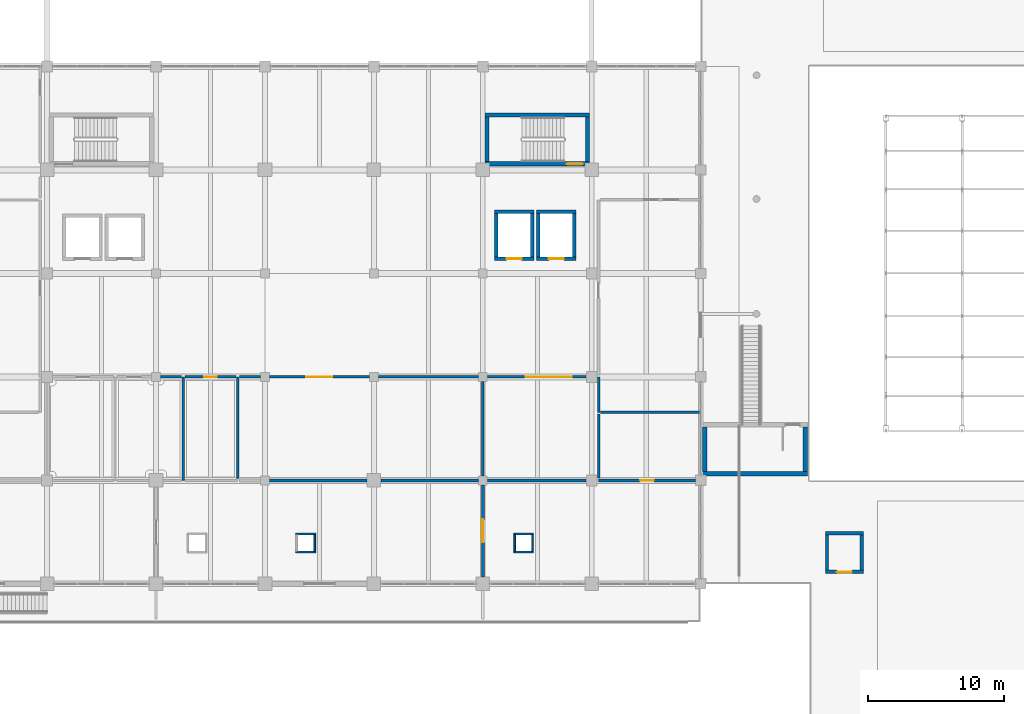
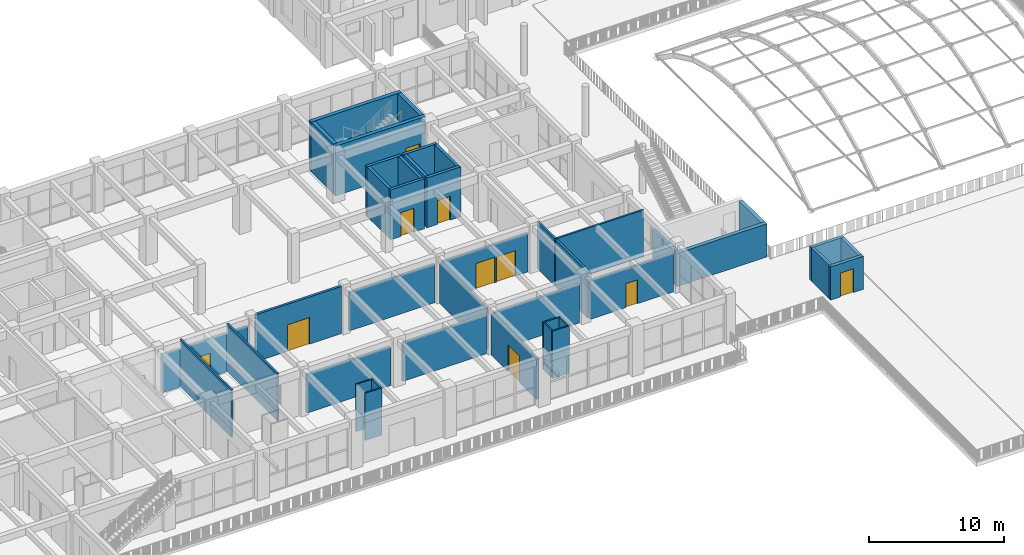
# One storey, part 55 of 79: 43 walls, 10 doors, 10 openings.
"""IFC4 building model written with IfcOpenShell, lengths in metres."""

from ifc_helpers import new_model, si_unit, direction, frame, frame_2d, origin, place, context, subcontext, project, spatial, rectangle, extrude, material, layer, layer_set, type_object, element, fill, save


model = new_model("IFC4")

# Units and contexts
model_context = context("Model", 3, precision=1e-05, world=origin(), true_north=direction((0.0, 1.0)))
body_context = subcontext(model_context, "Body", "Model", "MODEL_VIEW")
ifc_project = project(units=[si_unit("LENGTHUNIT", "METRE"), si_unit("AREAUNIT", "SQUARE_METRE"), si_unit("VOLUMEUNIT", "CUBIC_METRE"), si_unit("PLANEANGLEUNIT", "RADIAN"), si_unit("MASSUNIT", "GRAM", prefix="KILO")], contexts=[model_context])

# Site, building, storey
site_placement = place(None, origin())
site = spatial("IfcSite", under=ifc_project, at=site_placement, CompositionType="ELEMENT")
building_placement = place(site_placement, origin())
building = spatial("IfcBuilding", under=site, at=building_placement, Name="Zantavel Square City Hall", CompositionType="ELEMENT")
storey_placement = place(building_placement, frame((0.0, 0.0, 10.199951171875)))
storey = spatial("IfcBuildingStorey", under=building, at=storey_placement, Name="L03", CompositionType="ELEMENT", Elevation=10.199951171875)

# Walls
ifc_material_1 = material(Name="Concrete C40/50", Category="concrete")
ifc_layer_1 = layer(ifc_material_1, 0.320068359375, Name="Concrete C40/50")
ifc_layer_set_1 = layer_set([ifc_layer_1], Name="Concrete C40/50")
wall_type_1 = type_object("IfcWallType", Name="Core Shear Wall RC 320mm C40/50", PredefinedType="SHEAR", material=ifc_layer_set_1)
wall_1_placement = place(storey_placement, frame((119.85009765625, 38.489990234375, 0.0), z_axis=(0.0, 0.0, 1.0), x_axis=(-1.0, 0.0, 0.0)))
element("IfcWall", 1, at=wall_1_placement, inside=storey, type_object=wall_type_1, Name="L03 Stair ST4 Garden Headhouse Wall S", PredefinedType="SHEAR", context=body_context, shape_type="SweptSolid", body=[
    extrude(rectangle(XDim=7.7001953125, YDim=0.320068359375, at=frame_2d((3.85009765625, 0.0))), origin(), (0.0, 0.0, 1.0), 3.0),
])
for number, where, z_axis, x_axis, name in (
    (2, (112.31005859375, 38.64990234375, 0.0), (0.0, 0.0, 1.0), (0.0, 1.0, 0.0), "L03 Stair ST4 Garden Headhouse Wall W"),
    (3, (119.68994140625, 41.919921875, 0.0), (0.0, 0.0, 1.0), (0.0, -1.0, 0.0), "L03 Stair ST4 Garden Headhouse Wall E"),
):
    element("IfcWall", number, at=place(storey_placement, frame(where, z_axis=z_axis, x_axis=x_axis)), inside=storey, type_object=wall_type_1, Name=name, PredefinedType="SHEAR", context=body_context, shape_type="SweptSolid", body=[
        extrude(rectangle(XDim=3.27001953125, YDim=0.320068359375, at=frame_2d((1.635009765625, 0.0))), origin(), (0.0, 0.0, 1.0), 3.0),
    ])

# Wall, opening, door
wall_2_placement = place(storey_placement, frame((103.85009765625, 61.239990234375, 0.0), z_axis=(0.0, 0.0, 1.0), x_axis=(-1.0, 0.0, 0.0)))
wall_2 = element("IfcWall", 4, at=wall_2_placement, inside=storey, type_object=wall_type_1, Name="L03 Exit Stair 6 Central East Core Shear Wall South", PredefinedType="SHEAR", context=body_context, shape_type="SweptSolid", body=[
    extrude(rectangle(XDim=7.7001953125, YDim=0.320068359375, at=frame_2d((3.85009765625, 0.0))), origin(), (0.0, 0.0, 1.0), 4.5),
])
opening_1_placement = place(wall_2_placement, frame((0.5, 0.0, 0.0)))
opening_1 = element("IfcOpeningElement", 5, at=opening_1_placement, cuts=wall_2, Name="Opening SD-029", PredefinedType="OPENING", context=body_context, shape_type="SweptSolid", body=[
    extrude(rectangle(XDim=1.199951171875, YDim=2.199951171875, at=frame_2d((0.60009765625, 1.10009765625))), frame((0.0, 0.169921875, 0.0), z_axis=(0.0, -1.0, 0.0), x_axis=(1.0, 0.0, 0.0)), (0.0, 0.0, 1.0), 0.340087890625),
])
ifc_material_2 = material(Name="Steel ASTM A500 Grade B", Category="steel")
door_type_1 = type_object("IfcDoorType", Name="Enclosed Exit Stairwell Fire Door 1200x2200 FD90S", OperationType="NOTDEFINED", PredefinedType="DOOR", material=ifc_material_2)
door_1_placement = place(opening_1_placement, origin())
door_1 = element("IfcDoor", 6, at=door_1_placement, inside=storey, type_object=door_type_1, Name="L03 Exit Stair 6 Central East Core Fire Door", OperationType="SINGLE_SWING_LEFT", OverallHeight=2.199951171875, OverallWidth=1.199951171875, PredefinedType="DOOR", context=body_context, shape_type="SweptSolid", body=[
    extrude(rectangle(XDim=1.199951171875, YDim=2.199951171875, at=frame_2d((0.60009765625, 1.10009765625))), frame((0.0, 0.02490234375, 0.0), z_axis=(0.0, -1.0, 0.0), x_axis=(1.0, 0.0, 0.0)), (0.0, 0.0, 1.0), 0.050048828125),
])
fill(opening_1, door_1)

# Walls
wall_3_placement = place(storey_placement, frame((96.31005859375, 61.39990234375, 0.0), z_axis=(0.0, 0.0, 1.0), x_axis=(0.0, 1.0, 0.0)))
element("IfcWall", 7, at=wall_3_placement, inside=storey, type_object=wall_type_1, Name="L03 Exit Stair 6 Central East Core Shear Wall West", PredefinedType="SHEAR", context=body_context, shape_type="SweptSolid", body=[
    extrude(rectangle(XDim=3.27001953125, YDim=0.320068359375, at=frame_2d((1.635009765625, 0.0))), origin(), (0.0, 0.0, 1.0), 4.5),
])
wall_4_placement = place(storey_placement, frame((96.14990234375, 64.830078125, 0.0), z_axis=(0.0, 0.0, 1.0), x_axis=(1.0, 0.0, 0.0)))
element("IfcWall", 8, at=wall_4_placement, inside=storey, type_object=wall_type_1, Name="L03 Exit Stair 6 Central East Core Shear Wall North", PredefinedType="SHEAR", context=body_context, shape_type="SweptSolid", body=[
    extrude(rectangle(XDim=7.7001953125, YDim=0.320068359375, at=frame_2d((3.85009765625, 0.0))), origin(), (0.0, 0.0, 1.0), 4.5),
])
wall_5_placement = place(storey_placement, frame((103.68994140625, 64.669921875, 0.0), z_axis=(0.0, 0.0, 1.0), x_axis=(0.0, -1.0, 0.0)))
element("IfcWall", 9, at=wall_5_placement, inside=storey, type_object=wall_type_1, Name="L03 Exit Stair 6 Central East Core Shear Wall East", PredefinedType="SHEAR", context=body_context, shape_type="SweptSolid", body=[
    extrude(rectangle(XDim=3.27001953125, YDim=0.320068359375, at=frame_2d((1.635009765625, 0.0))), origin(), (0.0, 0.0, 1.0), 4.5),
])
ifc_material_3 = material(Name="Gypsum acoustic stud assembly", Category="masonry")
ifc_layer_2 = layer(ifc_material_3, 0.179931640625, Name="Gypsum acoustic stud assembly")
ifc_layer_set_2 = layer_set([ifc_layer_2], Name="Gypsum acoustic stud assembly")
wall_type_2 = type_object("IfcWallType", Name="Council Acoustic Partition 180mm", PredefinedType="PARTITIONING", material=ifc_layer_set_2)
wall_6_placement = place(storey_placement, frame((104.5, 45.60009765625, 0.0), z_axis=(0.0, 0.0, 1.0), x_axis=(0.0, -1.0, 0.0)))
element("IfcWall", 10, at=wall_6_placement, inside=storey, type_object=wall_type_2, Name="L03 Interior Wall IW-L03-0261", PredefinedType="PARTITIONING", context=body_context, shape_type="SweptSolid", body=[
    extrude(rectangle(XDim=2.60009765625, YDim=0.179931640625, at=frame_2d((1.300048828125, 0.0))), origin(), (0.0, 0.0, 1.0), 4.219970703125),
])
wall_7_placement = place(storey_placement, frame((96.0, 38.3349609375, 0.0), z_axis=(0.0, 0.0, 1.0), x_axis=(0.0, 1.0, 0.0)))
element("IfcWall", 11, at=wall_7_placement, inside=storey, type_object=wall_type_2, Name="L03 Interior Wall IW-L03-0262", PredefinedType="PARTITIONING", context=body_context, shape_type="SweptSolid", body=[
    extrude(rectangle(XDim=6.929931640625, YDim=0.179931640625, at=frame_2d((3.46484375, 0.0))), origin(), (0.0, 0.0, 1.0), 3.670166015625),
])
wall_8_placement = place(storey_placement, frame((104.5, 42.860107421875, 0.0), z_axis=(0.0, 0.0, 1.0), x_axis=(0.0, -1.0, 0.0)))
element("IfcWall", 12, at=wall_8_placement, inside=storey, type_object=wall_type_2, Name="L03 Interior Wall IW-L03-0264", PredefinedType="PARTITIONING", context=body_context, shape_type="SweptSolid", body=[
    extrude(rectangle(XDim=4.7001953125, YDim=0.179931640625, at=frame_2d((2.35009765625, 0.0))), origin(), (0.0, 0.0, 1.0), 4.219970703125),
])
ifc_layer_3 = layer(ifc_material_3, 0.14990234375, Name="Gypsum acoustic stud assembly")
ifc_layer_set_3 = layer_set([ifc_layer_3], Name="Gypsum acoustic stud assembly")
wall_type_3 = type_object("IfcWallType", Name="Department Office Partition 150mm", PredefinedType="PARTITIONING", material=ifc_layer_set_3)
wall_9_placement = place(storey_placement, frame((112.0, 43.0, 0.0), z_axis=(0.0, 0.0, 1.0), x_axis=(-1.0, 0.0, 0.0)))
element("IfcWall", 13, at=wall_9_placement, inside=storey, type_object=wall_type_3, Name="L03 Interior Wall IW-L03-0278", PredefinedType="PARTITIONING", context=body_context, shape_type="SweptSolid", body=[
    extrude(rectangle(XDim=7.360107421875, YDim=0.14990234375, at=frame_2d((3.68017578125, 0.0))), origin(), (0.0, 0.0, 1.0), 4.219970703125),
])

# Wall, opening, door
ifc_material_4 = material(Name="Cantera volcanic tuff stone", Category="masonry")
ifc_layer_4 = layer(ifc_material_4, 0.219970703125, Name="Cantera volcanic tuff stone")
ifc_layer_set_4 = layer_set([ifc_layer_4], Name="Cantera volcanic tuff stone")
wall_type_4 = type_object("IfcWallType", Name="Executive Acoustic Stone Partition 220mm", PredefinedType="PARTITIONING", material=ifc_layer_set_4)
wall_10_placement = place(storey_placement, frame((96.0, 37.6650390625, 0.0), z_axis=(0.0, 0.0, 1.0), x_axis=(0.0, -1.0, 0.0)))
wall_10 = element("IfcWall", 14, at=wall_10_placement, inside=storey, type_object=wall_type_4, Name="L03 Interior Wall IW-L03-0253", PredefinedType="PARTITIONING", context=body_context, shape_type="SweptSolid", body=[
    extrude(rectangle(XDim=6.755126953125, YDim=0.219970703125, at=frame_2d((3.37744140625, 0.0))), origin(), (0.0, 0.0, 1.0), 3.670166015625),
])
opening_2_placement = place(wall_10_placement, frame((2.527587890625, 0.0, 0.0)))
opening_2 = element("IfcOpeningElement", 15, at=opening_2_placement, cuts=wall_10, Name="Opening D-0134", PredefinedType="OPENING", context=body_context, shape_type="SweptSolid", body=[
    extrude(rectangle(XDim=1.699951171875, YDim=2.39990234375, at=frame_2d((0.85009765625, 1.199951171875))), frame((0.0, 0.119873046875, 0.0), z_axis=(0.0, -1.0, 0.0), x_axis=(1.0, 0.0, 0.0)), (0.0, 0.0, 1.0), 0.239990234375),
])
ifc_material_5 = material(Name="Solid oak hardwood", Category="wood")
door_type_2 = type_object("IfcDoorType", Name="Executive Salon Oak Double Door 1700x2400", OperationType="NOTDEFINED", PredefinedType="DOOR", material=ifc_material_5)
door_2_placement = place(opening_2_placement, origin())
door_2 = element("IfcDoor", 16, at=door_2_placement, inside=storey, type_object=door_type_2, Name="L03 Second Syndic Suite Door", OperationType="DOUBLE_DOOR_SINGLE_SWING", OverallHeight=2.39990234375, OverallWidth=1.699951171875, PredefinedType="DOOR", context=body_context, shape_type="SweptSolid", body=[
    extrude(rectangle(XDim=1.699951171875, YDim=2.39990234375, at=frame_2d((0.85009765625, 1.199951171875))), frame((0.0, 0.02490234375, 0.0), z_axis=(0.0, -1.0, 0.0), x_axis=(1.0, 0.0, 0.0)), (0.0, 0.0, 1.0), 0.050048828125),
])
fill(opening_2, door_2)

# Walls
for number, where, z_axis, x_axis, name in (
    (17, (80.3349609375, 38.0, 0.0), (0.0, 0.0, 1.0), (1.0, 0.0, 0.0), "L03 Interior Wall IW-L03-0255"),
    (18, (88.510009765625, 38.0, 0.0), (0.0, 0.0, 1.0), (1.0, 0.0, 0.0), "L03 Interior Wall IW-L03-0256"),
):
    element("IfcWall", number, at=place(storey_placement, frame(where, z_axis=z_axis, x_axis=x_axis)), inside=storey, type_object=wall_type_4, Name=name, PredefinedType="PARTITIONING", context=body_context, shape_type="SweptSolid", body=[
        extrude(rectangle(XDim=7.155029296875, YDim=0.219970703125, at=frame_2d((3.57763671875, 0.0))), origin(), (0.0, 0.0, 1.0), 3.469970703125),
    ])
wall_11_placement = place(storey_placement, frame((96.3349609375, 38.0, 0.0), z_axis=(0.0, 0.0, 1.0), x_axis=(1.0, 0.0, 0.0)))
element("IfcWall", 19, at=wall_11_placement, inside=storey, type_object=wall_type_4, Name="L03 Interior Wall IW-L03-0259", PredefinedType="PARTITIONING", context=body_context, shape_type="SweptSolid", body=[
    extrude(rectangle(XDim=7.255126953125, YDim=0.219970703125, at=frame_2d((3.62744140625, 0.0))), origin(), (0.0, 0.0, 1.0), 3.469970703125),
])

# Wall, opening, door
wall_12_placement = place(storey_placement, frame((104.5, 38.0, 0.0), z_axis=(0.0, 0.0, 1.0), x_axis=(1.0, 0.0, 0.0)))
wall_12 = element("IfcWall", 20, at=wall_12_placement, inside=storey, type_object=wall_type_4, Name="L03 Interior Wall IW-L03-0260", PredefinedType="PARTITIONING", context=body_context, shape_type="SweptSolid", body=[
    extrude(rectangle(XDim=7.114990234375, YDim=0.219970703125, at=frame_2d((3.5576171875, 0.0))), origin(), (0.0, 0.0, 1.0), 3.469970703125),
])
opening_3_placement = place(wall_12_placement, frame((3.0576171875, 0.0, 0.0)))
opening_3 = element("IfcOpeningElement", 21, at=opening_3_placement, cuts=wall_12, Name="Opening D-0137", PredefinedType="OPENING", context=body_context, shape_type="SweptSolid", body=[
    extrude(rectangle(XDim=1.0, YDim=2.14990234375, at=frame_2d((0.5, 1.074951171875))), frame((0.0, 0.119873046875, 0.0), z_axis=(0.0, -1.0, 0.0), x_axis=(1.0, 0.0, 0.0)), (0.0, 0.0, 1.0), 0.239990234375),
])
door_type_3 = type_object("IfcDoorType", Name="Suite Internal Oak Single Door 1000x2150", OperationType="NOTDEFINED", PredefinedType="DOOR", material=ifc_material_5)
door_3_placement = place(opening_3_placement, origin())
door_3 = element("IfcDoor", 22, at=door_3_placement, inside=storey, type_object=door_type_3, Name="L03 L03 Municipal Support Office 3 Door", OperationType="SINGLE_SWING_LEFT", OverallHeight=2.14990234375, OverallWidth=1.0, PredefinedType="DOOR", context=body_context, shape_type="SweptSolid", body=[
    extrude(rectangle(XDim=1.0, YDim=2.14990234375, at=frame_2d((0.5, 1.074951171875))), frame((0.0, 0.02490234375, 0.0), z_axis=(0.0, -1.0, 0.0), x_axis=(1.0, 0.0, 0.0)), (0.0, 0.0, 1.0), 0.050048828125),
])
fill(opening_3, door_3)

# Wall
ifc_layer_5 = layer(ifc_material_4, 0.199951171875, Name="Cantera volcanic tuff stone")
ifc_layer_set_5 = layer_set([ifc_layer_5], Name="Cantera volcanic tuff stone")
wall_type_5 = type_object("IfcWallType", Name="Exit Corridor Rated Wall 200mm", PredefinedType="STANDARD", material=ifc_layer_set_5)
wall_13_placement = place(storey_placement, frame((72.3349609375, 45.60009765625, 0.0), z_axis=(0.0, 0.0, 1.0), x_axis=(1.0, 0.0, 0.0)))
element("IfcWall", 23, at=wall_13_placement, inside=storey, type_object=wall_type_5, Name="L03 Interior Wall IW-L03-0248", PredefinedType="STANDARD", context=body_context, shape_type="SweptSolid", body=[
    extrude(rectangle(XDim=1.53515625, YDim=0.199951171875, at=frame_2d((0.767578125, 0.0))), origin(), (0.0, 0.0, 1.0), 3.469970703125),
])

# Wall, opening, door
wall_14_placement = place(storey_placement, frame((74.1298828125, 45.60009765625, 0.0), z_axis=(0.0, 0.0, 1.0), x_axis=(1.0, 0.0, 0.0)))
wall_14 = element("IfcWall", 24, at=wall_14_placement, inside=storey, type_object=wall_type_5, Name="L03 Interior Wall IW-L03-0251", PredefinedType="STANDARD", context=body_context, shape_type="SweptSolid", body=[
    extrude(rectangle(XDim=3.740234375, YDim=0.199951171875, at=frame_2d((1.8701171875, 0.0))), origin(), (0.0, 0.0, 1.0), 3.469970703125),
])
opening_4_placement = place(wall_14_placement, frame((1.39501953125, 0.0, 0.0)))
opening_4 = element("IfcOpeningElement", 25, at=opening_4_placement, cuts=wall_14, Name="Opening D-0118", PredefinedType="OPENING", context=body_context, shape_type="SweptSolid", body=[
    extrude(rectangle(XDim=0.949951171875, YDim=2.14990234375, at=frame_2d((0.47509765625, 1.074951171875))), frame((0.0, 0.10986328125, 0.0), z_axis=(0.0, -1.0, 0.0), x_axis=(1.0, 0.0, 0.0)), (0.0, 0.0, 1.0), 0.219970703125),
])
door_type_4 = type_object("IfcDoorType", Name="Corridor Restroom Oak Fire Door 950x2150 FD60S", OperationType="NOTDEFINED", PredefinedType="DOOR", material=ifc_material_5)
door_4_placement = place(opening_4_placement, origin())
door_4 = element("IfcDoor", 26, at=door_4_placement, inside=storey, type_object=door_type_4, Name="L03 L03 Accessible WC Door", OperationType="SINGLE_SWING_RIGHT", OverallHeight=2.14990234375, OverallWidth=0.949951171875, PredefinedType="DOOR", context=body_context, shape_type="SweptSolid", body=[
    extrude(rectangle(XDim=0.949951171875, YDim=2.14990234375, at=frame_2d((0.47509765625, 1.074951171875))), frame((0.0, 0.02490234375, 0.0), z_axis=(0.0, -1.0, 0.0), x_axis=(1.0, 0.0, 0.0)), (0.0, 0.0, 1.0), 0.050048828125),
])
fill(opening_4, door_4)

# Wall, openings, doors
wall_15_placement = place(storey_placement, frame((96.3349609375, 45.60009765625, 0.0), z_axis=(0.0, 0.0, 1.0), x_axis=(1.0, 0.0, 0.0)))
wall_15 = element("IfcWall", 27, at=wall_15_placement, inside=storey, type_object=wall_type_5, Name="L03 Interior Wall IW-L03-0263", PredefinedType="STANDARD", context=body_context, shape_type="SweptSolid", body=[
    extrude(rectangle(XDim=7.255126953125, YDim=0.199951171875, at=frame_2d((3.62744140625, 0.0))), origin(), (0.0, 0.0, 1.0), 3.469970703125),
])
opening_5_placement = place(wall_15_placement, frame((2.827392578125, 0.0, 0.0)))
opening_5 = element("IfcOpeningElement", 28, at=opening_5_placement, cuts=wall_15, Name="Opening D-0120", PredefinedType="OPENING", context=body_context, shape_type="SweptSolid", body=[
    extrude(rectangle(XDim=1.60009765625, YDim=2.300048828125, at=frame_2d((0.800048828125, 1.14990234375))), frame((0.0, 0.10986328125, 0.0), z_axis=(0.0, -1.0, 0.0), x_axis=(1.0, 0.0, 0.0)), (0.0, 0.0, 1.0), 0.219970703125),
])
opening_6_placement = place(wall_15_placement, frame((4.577392578125, 0.0, 0.0)))
opening_6 = element("IfcOpeningElement", 29, at=opening_6_placement, cuts=wall_15, Name="Opening D-0138", PredefinedType="OPENING", context=body_context, shape_type="SweptSolid", body=[
    extrude(rectangle(XDim=1.60009765625, YDim=2.300048828125, at=frame_2d((0.800048828125, 1.14990234375))), frame((0.0, 0.10986328125, 0.0), z_axis=(0.0, -1.0, 0.0), x_axis=(1.0, 0.0, 0.0)), (0.0, 0.0, 1.0), 0.219970703125),
])
door_type_5 = type_object("IfcDoorType", Name="Committee Suite Fire Double Door 1600x2300 FD60S", OperationType="NOTDEFINED", PredefinedType="DOOR", material=ifc_material_5)
door_5_placement = place(opening_5_placement, origin())
door_5 = element("IfcDoor", 30, at=door_5_placement, inside=storey, type_object=door_type_5, Name="L03 Mayoral Cabinet Briefing Room Door", OperationType="DOUBLE_DOOR_SINGLE_SWING", OverallHeight=2.300048828125, OverallWidth=1.60009765625, PredefinedType="DOOR", context=body_context, shape_type="SweptSolid", body=[
    extrude(rectangle(XDim=1.60009765625, YDim=2.300048828125, at=frame_2d((0.800048828125, 1.14990234375))), frame((0.0, 0.02490234375, 0.0), z_axis=(0.0, -1.0, 0.0), x_axis=(1.0, 0.0, 0.0)), (0.0, 0.0, 1.0), 0.050048828125),
])
fill(opening_5, door_5)
door_6_placement = place(opening_6_placement, origin())
door_6 = element("IfcDoor", 31, at=door_6_placement, inside=storey, type_object=door_type_5, Name="L03 Mayoral Cabinet Briefing Room Door", OperationType="DOUBLE_DOOR_SINGLE_SWING", OverallHeight=2.300048828125, OverallWidth=1.60009765625, PredefinedType="DOOR", context=body_context, shape_type="SweptSolid", body=[
    extrude(rectangle(XDim=1.60009765625, YDim=2.300048828125, at=frame_2d((0.800048828125, 1.14990234375))), frame((0.0, 0.02490234375, 0.0), z_axis=(0.0, -1.0, 0.0), x_axis=(1.0, 0.0, 0.0)), (0.0, 0.0, 1.0), 0.050048828125),
])
fill(opening_6, door_6)

# Wall
wall_16_placement = place(storey_placement, frame((78.1298828125, 45.60009765625, 0.0), z_axis=(0.0, 0.0, 1.0), x_axis=(1.0, 0.0, 0.0)))
element("IfcWall", 32, at=wall_16_placement, inside=storey, type_object=wall_type_5, Name="L03 Interior Wall IW-L03-0290", PredefinedType="STANDARD", context=body_context, shape_type="SweptSolid", body=[
    extrude(rectangle(XDim=1.53515625, YDim=0.199951171875, at=frame_2d((0.767578125, 0.0))), origin(), (0.0, 0.0, 1.0), 3.469970703125),
])

# Wall, opening, door
wall_17_placement = place(storey_placement, frame((80.3349609375, 45.60009765625, 0.0), z_axis=(0.0, 0.0, 1.0), x_axis=(1.0, 0.0, 0.0)))
wall_17 = element("IfcWall", 33, at=wall_17_placement, inside=storey, type_object=wall_type_5, Name="L03 Interior Wall IW-L03-0291", PredefinedType="STANDARD", context=body_context, shape_type="SweptSolid", body=[
    extrude(rectangle(XDim=7.330078125, YDim=0.199951171875, at=frame_2d((3.6650390625, 0.0))), origin(), (0.0, 0.0, 1.0), 4.260009765625),
])
opening_7_placement = place(wall_17_placement, frame((2.715087890625, 0.0, 0.0)))
opening_7 = element("IfcOpeningElement", 34, at=opening_7_placement, cuts=wall_17, Name="Opening D-0130", PredefinedType="OPENING", context=body_context, shape_type="SweptSolid", body=[
    extrude(rectangle(XDim=1.89990234375, YDim=2.39990234375, at=frame_2d((0.949951171875, 1.199951171875))), frame((0.0, 0.10986328125, 0.0), z_axis=(0.0, -1.0, 0.0), x_axis=(1.0, 0.0, 0.0)), (0.0, 0.0, 1.0), 0.219970703125),
])
door_type_6 = type_object("IfcDoorType", Name="Civic Hall Oak Fire Double Door 1900x2400 FD60S", OperationType="NOTDEFINED", PredefinedType="DOOR", material=ifc_material_5)
door_7_placement = place(opening_7_placement, origin())
door_7 = element("IfcDoor", 35, at=door_7_placement, inside=storey, type_object=door_type_6, Name="L03 Protocol Reception Hall Door", OperationType="DOUBLE_DOOR_SINGLE_SWING", OverallHeight=2.39990234375, OverallWidth=1.89990234375, PredefinedType="DOOR", context=body_context, shape_type="SweptSolid", body=[
    extrude(rectangle(XDim=1.89990234375, YDim=2.39990234375, at=frame_2d((0.949951171875, 1.199951171875))), frame((0.0, 0.02490234375, 0.0), z_axis=(0.0, -1.0, 0.0), x_axis=(1.0, 0.0, 0.0)), (0.0, 0.0, 1.0), 0.050048828125),
])
fill(opening_7, door_7)

# Wall
wall_18_placement = place(storey_placement, frame((88.3349609375, 45.60009765625, 0.0), z_axis=(0.0, 0.0, 1.0), x_axis=(1.0, 0.0, 0.0)))
element("IfcWall", 36, at=wall_18_placement, inside=storey, type_object=wall_type_5, Name="L03 Interior Wall IW-L03-0292", PredefinedType="STANDARD", context=body_context, shape_type="SweptSolid", body=[
    extrude(rectangle(XDim=7.330078125, YDim=0.199951171875, at=frame_2d((3.6650390625, 0.0))), origin(), (0.0, 0.0, 1.0), 3.469970703125),
])

# Wall, opening, door
ifc_layer_6 = layer(ifc_material_1, 0.25, Name="Concrete C40/50")
ifc_layer_set_6 = layer_set([ifc_layer_6], Name="Concrete C40/50")
wall_type_6 = type_object("IfcWallType", Name="Lift Shaft Wall RC 250mm C40/50", PredefinedType="SHEAR", material=ifc_layer_set_6)
wall_19_placement = place(storey_placement, frame((99.75, 54.27490234375, 0.0), z_axis=(0.0, 0.0, 1.0), x_axis=(-1.0, 0.0, 0.0)))
wall_19 = element("IfcWall", 37, at=wall_19_placement, inside=storey, type_object=wall_type_6, Name="L03 Lift LF03 Shaft Wall South", PredefinedType="SHEAR", context=body_context, shape_type="SweptSolid", body=[
    extrude(rectangle(XDim=2.89990234375, YDim=0.25, at=frame_2d((1.449951171875, 0.0))), origin(), (0.0, 0.0, 1.0), 4.5),
])
opening_8_placement = place(wall_19_placement, frame((0.89990234375, 0.0, 0.0)))
opening_8 = element("IfcOpeningElement", 38, at=opening_8_placement, cuts=wall_19, Name="Opening LD-LF03-L03", PredefinedType="OPENING", context=body_context, shape_type="SweptSolid", body=[
    extrude(rectangle(XDim=1.10009765625, YDim=2.14990234375, at=frame_2d((0.550048828125, 1.074951171875))), frame((0.0, 0.135009765625, 0.0), z_axis=(0.0, -1.0, 0.0), x_axis=(1.0, 0.0, 0.0)), (0.0, 0.0, 1.0), 0.27001953125),
])
ifc_material_6 = material(Name="Stainless steel 316", Category="steel")
door_type_7 = type_object("IfcDoorType", Name="Lift Landing Sliding Door 1100x2150 FD90S", OperationType="NOTDEFINED", PredefinedType="DOOR", material=ifc_material_6)
door_8_placement = place(opening_8_placement, origin())
door_8 = element("IfcDoor", 39, at=door_8_placement, inside=storey, type_object=door_type_7, Name="L03 Lift LF03 Sliding Landing Door", OperationType="DOUBLE_DOOR_SLIDING", OverallHeight=2.14990234375, OverallWidth=1.10009765625, PredefinedType="DOOR", context=body_context, shape_type="SweptSolid", body=[
    extrude(rectangle(XDim=1.10009765625, YDim=2.14990234375, at=frame_2d((0.550048828125, 1.074951171875))), frame((0.0, 0.02490234375, 0.0), z_axis=(0.0, -1.0, 0.0), x_axis=(1.0, 0.0, 0.0)), (0.0, 0.0, 1.0), 0.050048828125),
])
fill(opening_8, door_8)

# Walls
wall_20_placement = place(storey_placement, frame((96.97509765625, 54.39990234375, 0.0), z_axis=(0.0, 0.0, 1.0), x_axis=(0.0, 1.0, 0.0)))
element("IfcWall", 40, at=wall_20_placement, inside=storey, type_object=wall_type_6, Name="L03 Lift LF03 Shaft Wall West", PredefinedType="SHEAR", context=body_context, shape_type="SweptSolid", body=[
    extrude(rectangle(XDim=3.2001953125, YDim=0.25, at=frame_2d((1.60009765625, 0.0))), origin(), (0.0, 0.0, 1.0), 4.5),
])
wall_21_placement = place(storey_placement, frame((96.85009765625, 57.72509765625, 0.0), z_axis=(0.0, 0.0, 1.0), x_axis=(1.0, 0.0, 0.0)))
element("IfcWall", 41, at=wall_21_placement, inside=storey, type_object=wall_type_6, Name="L03 Lift LF03 Shaft Wall North", PredefinedType="SHEAR", context=body_context, shape_type="SweptSolid", body=[
    extrude(rectangle(XDim=2.89990234375, YDim=0.25, at=frame_2d((1.449951171875, 0.0))), origin(), (0.0, 0.0, 1.0), 4.5),
])
wall_22_placement = place(storey_placement, frame((99.625, 57.60009765625, 0.0), z_axis=(0.0, 0.0, 1.0), x_axis=(0.0, -1.0, 0.0)))
element("IfcWall", 42, at=wall_22_placement, inside=storey, type_object=wall_type_6, Name="L03 Lift LF03 Shaft Wall East", PredefinedType="SHEAR", context=body_context, shape_type="SweptSolid", body=[
    extrude(rectangle(XDim=3.2001953125, YDim=0.25, at=frame_2d((1.60009765625, 0.0))), origin(), (0.0, 0.0, 1.0), 4.5),
])

# Wall, opening, door
wall_23_placement = place(storey_placement, frame((102.85009765625, 54.27490234375, 0.0), z_axis=(0.0, 0.0, 1.0), x_axis=(-1.0, 0.0, 0.0)))
wall_23 = element("IfcWall", 43, at=wall_23_placement, inside=storey, type_object=wall_type_6, Name="L03 Lift LF04 Shaft Wall South", PredefinedType="SHEAR", context=body_context, shape_type="SweptSolid", body=[
    extrude(rectangle(XDim=2.900146484375, YDim=0.25, at=frame_2d((1.4501953125, 0.0))), origin(), (0.0, 0.0, 1.0), 4.5),
])
opening_9_placement = place(wall_23_placement, frame((0.89990234375, 0.0, 0.0)))
opening_9 = element("IfcOpeningElement", 44, at=opening_9_placement, cuts=wall_23, Name="Opening LD-LF04-L03", PredefinedType="OPENING", context=body_context, shape_type="SweptSolid", body=[
    extrude(rectangle(XDim=1.10009765625, YDim=2.14990234375, at=frame_2d((0.550048828125, 1.074951171875))), frame((0.0, 0.135009765625, 0.0), z_axis=(0.0, -1.0, 0.0), x_axis=(1.0, 0.0, 0.0)), (0.0, 0.0, 1.0), 0.27001953125),
])
door_9_placement = place(opening_9_placement, origin())
door_9 = element("IfcDoor", 45, at=door_9_placement, inside=storey, type_object=door_type_7, Name="L03 Lift LF04 Sliding Landing Door", OperationType="DOUBLE_DOOR_SLIDING", OverallHeight=2.14990234375, OverallWidth=1.10009765625, PredefinedType="DOOR", context=body_context, shape_type="SweptSolid", body=[
    extrude(rectangle(XDim=1.10009765625, YDim=2.14990234375, at=frame_2d((0.550048828125, 1.074951171875))), frame((0.0, 0.02490234375, 0.0), z_axis=(0.0, -1.0, 0.0), x_axis=(1.0, 0.0, 0.0)), (0.0, 0.0, 1.0), 0.050048828125),
])
fill(opening_9, door_9)

# Walls
wall_24_placement = place(storey_placement, frame((100.074951171875, 54.39990234375, 0.0), z_axis=(0.0, 0.0, 1.0), x_axis=(0.0, 1.0, 0.0)))
element("IfcWall", 46, at=wall_24_placement, inside=storey, type_object=wall_type_6, Name="L03 Lift LF04 Shaft Wall West", PredefinedType="SHEAR", context=body_context, shape_type="SweptSolid", body=[
    extrude(rectangle(XDim=3.2001953125, YDim=0.25, at=frame_2d((1.60009765625, 0.0))), origin(), (0.0, 0.0, 1.0), 4.5),
])
wall_25_placement = place(storey_placement, frame((99.949951171875, 57.72509765625, 0.0), z_axis=(0.0, 0.0, 1.0), x_axis=(1.0, 0.0, 0.0)))
element("IfcWall", 47, at=wall_25_placement, inside=storey, type_object=wall_type_6, Name="L03 Lift LF04 Shaft Wall North", PredefinedType="SHEAR", context=body_context, shape_type="SweptSolid", body=[
    extrude(rectangle(XDim=2.900146484375, YDim=0.25, at=frame_2d((1.4501953125, 0.0))), origin(), (0.0, 0.0, 1.0), 4.5),
])
wall_26_placement = place(storey_placement, frame((102.72509765625, 57.60009765625, 0.0), z_axis=(0.0, 0.0, 1.0), x_axis=(0.0, -1.0, 0.0)))
element("IfcWall", 48, at=wall_26_placement, inside=storey, type_object=wall_type_6, Name="L03 Lift LF04 Shaft Wall East", PredefinedType="SHEAR", context=body_context, shape_type="SweptSolid", body=[
    extrude(rectangle(XDim=3.2001953125, YDim=0.25, at=frame_2d((1.60009765625, 0.0))), origin(), (0.0, 0.0, 1.0), 4.5),
])

# Wall, opening, door
wall_27_placement = place(storey_placement, frame((123.949951171875, 31.27490234375, 0.0), z_axis=(0.0, 0.0, 1.0), x_axis=(-1.0, 0.0, 0.0)))
wall_27 = element("IfcWall", 49, at=wall_27_placement, inside=storey, type_object=wall_type_6, Name="L03 Lift LF07 Shaft Wall South", PredefinedType="SHEAR", context=body_context, shape_type="SweptSolid", body=[
    extrude(rectangle(XDim=2.800048828125, YDim=0.25, at=frame_2d((1.39990234375, 0.0))), origin(), (0.0, 0.0, 1.0), 3.0),
])
opening_10_placement = place(wall_27_placement, frame((0.85009765625, 0.0, 0.0)))
opening_10 = element("IfcOpeningElement", 50, at=opening_10_placement, cuts=wall_27, Name="Opening LD-LF07-L03", PredefinedType="OPENING", context=body_context, shape_type="SweptSolid", body=[
    extrude(rectangle(XDim=1.10009765625, YDim=2.14990234375, at=frame_2d((0.550048828125, 1.074951171875))), frame((0.0, 0.135009765625, 0.0), z_axis=(0.0, -1.0, 0.0), x_axis=(1.0, 0.0, 0.0)), (0.0, 0.0, 1.0), 0.27001953125),
])
door_10_placement = place(opening_10_placement, origin())
door_10 = element("IfcDoor", 51, at=door_10_placement, inside=storey, type_object=door_type_7, Name="L03 Lift LF07 Sliding Landing Door", OperationType="DOUBLE_DOOR_SLIDING", OverallHeight=2.14990234375, OverallWidth=1.10009765625, PredefinedType="DOOR", context=body_context, shape_type="SweptSolid", body=[
    extrude(rectangle(XDim=1.10009765625, YDim=2.14990234375, at=frame_2d((0.550048828125, 1.074951171875))), frame((0.0, 0.02490234375, 0.0), z_axis=(0.0, -1.0, 0.0), x_axis=(1.0, 0.0, 0.0)), (0.0, 0.0, 1.0), 0.050048828125),
])
fill(opening_10, door_10)

# Walls
wall_28_placement = place(storey_placement, frame((121.27490234375, 31.39990234375, 0.0), z_axis=(0.0, 0.0, 1.0), x_axis=(0.0, 1.0, 0.0)))
element("IfcWall", 52, at=wall_28_placement, inside=storey, type_object=wall_type_6, Name="L03 Lift LF07 Shaft Wall West", PredefinedType="SHEAR", context=body_context, shape_type="SweptSolid", body=[
    extrude(rectangle(XDim=2.60009765625, YDim=0.25, at=frame_2d((1.300048828125, 0.0))), origin(), (0.0, 0.0, 1.0), 3.0),
])
wall_29_placement = place(storey_placement, frame((121.14990234375, 34.125, 0.0), z_axis=(0.0, 0.0, 1.0), x_axis=(1.0, 0.0, 0.0)))
element("IfcWall", 53, at=wall_29_placement, inside=storey, type_object=wall_type_6, Name="L03 Lift LF07 Shaft Wall North", PredefinedType="SHEAR", context=body_context, shape_type="SweptSolid", body=[
    extrude(rectangle(XDim=2.800048828125, YDim=0.25, at=frame_2d((1.39990234375, 0.0))), origin(), (0.0, 0.0, 1.0), 3.0),
])
wall_30_placement = place(storey_placement, frame((123.824951171875, 34.0, 0.0), z_axis=(0.0, 0.0, 1.0), x_axis=(0.0, -1.0, 0.0)))
element("IfcWall", 54, at=wall_30_placement, inside=storey, type_object=wall_type_6, Name="L03 Lift LF07 Shaft Wall East", PredefinedType="SHEAR", context=body_context, shape_type="SweptSolid", body=[
    extrude(rectangle(XDim=2.60009765625, YDim=0.25, at=frame_2d((1.300048828125, 0.0))), origin(), (0.0, 0.0, 1.0), 3.0),
])
ifc_layer_7 = layer(ifc_material_4, 0.159912109375, Name="Cantera volcanic tuff stone")
ifc_layer_set_7 = layer_set([ifc_layer_7], Name="Cantera volcanic tuff stone")
wall_type_7 = type_object("IfcWallType", Name="Restroom Wet-Wall Partition 160mm", PredefinedType="PARTITIONING", material=ifc_layer_set_7)
wall_31_placement = place(storey_placement, frame((74.0, 45.60009765625, 0.0), z_axis=(0.0, 0.0, 1.0), x_axis=(0.0, -1.0, 0.0)))
element("IfcWall", 55, at=wall_31_placement, inside=storey, type_object=wall_type_7, Name="L03 Interior Wall IW-L03-0244", PredefinedType="PARTITIONING", context=body_context, shape_type="SweptSolid", body=[
    extrude(rectangle(XDim=7.60009765625, YDim=0.159912109375, at=frame_2d((3.800048828125, 0.0))), origin(), (0.0, 0.0, 1.0), 4.260009765625),
])
wall_32_placement = place(storey_placement, frame((78.0, 45.60009765625, 0.0), z_axis=(0.0, 0.0, 1.0), x_axis=(0.0, -1.0, 0.0)))
element("IfcWall", 56, at=wall_32_placement, inside=storey, type_object=wall_type_7, Name="L03 Interior Wall IW-L03-0250", PredefinedType="PARTITIONING", context=body_context, shape_type="SweptSolid", body=[
    extrude(rectangle(XDim=7.47021484375, YDim=0.159912109375, at=frame_2d((3.735107421875, 0.0))), origin(), (0.0, 0.0, 1.0), 4.260009765625),
])
ifc_material_7 = material(Name="Concrete C35/45", Category="concrete")
ifc_layer_8 = layer(ifc_material_7, 0.1201171875, Name="Concrete C35/45")
ifc_layer_set_8 = layer_set([ifc_layer_8], Name="Concrete C35/45")
wall_type_8 = type_object("IfcWallType", Name="Riser Chase Wall RC 120mm C35/45", PredefinedType="PARTITIONING", material=ifc_layer_set_8)
for number, where, z_axis, x_axis, name in (
    (57, (83.719970703125, 32.739990234375, 0.0), (0.0, 0.0, 1.0), (-1.0, 0.0, 0.0), "L03 MEP Riser 03 Wall S"),
    (58, (82.280029296875, 34.06005859375, 0.0), (0.0, 0.0, 1.0), (1.0, 0.0, 0.0), "L03 MEP Riser 03 Wall N"),
):
    element("IfcWall", number, at=place(storey_placement, frame(where, z_axis=z_axis, x_axis=x_axis)), inside=storey, type_object=wall_type_8, Name=name, PredefinedType="PARTITIONING", context=body_context, shape_type="SweptSolid", body=[
        extrude(rectangle(XDim=1.43994140625, YDim=0.1201171875, at=frame_2d((0.719970703125, 0.0))), origin(), (0.0, 0.0, 1.0), 4.260009765625),
    ])
wall_33_placement = place(storey_placement, frame((83.659912109375, 34.0, 0.0), z_axis=(0.0, 0.0, 1.0), x_axis=(0.0, -1.0, 0.0)))
element("IfcWall", 59, at=wall_33_placement, inside=storey, type_object=wall_type_8, Name="L03 MEP Riser 03 Wall E", PredefinedType="PARTITIONING", context=body_context, shape_type="SweptSolid", body=[
    extrude(rectangle(XDim=1.199951171875, YDim=0.1201171875, at=frame_2d((0.60009765625, 0.0))), origin(), (0.0, 0.0, 1.0), 4.260009765625),
])
wall_34_placement = place(storey_placement, frame((99.719970703125, 32.739990234375, 0.0), z_axis=(0.0, 0.0, 1.0), x_axis=(-1.0, 0.0, 0.0)))
element("IfcWall", 60, at=wall_34_placement, inside=storey, type_object=wall_type_8, Name="L03 MEP Riser 04 Wall S", PredefinedType="PARTITIONING", context=body_context, shape_type="SweptSolid", body=[
    extrude(rectangle(XDim=1.43994140625, YDim=0.1201171875, at=frame_2d((0.719970703125, 0.0))), origin(), (0.0, 0.0, 1.0), 4.260009765625),
])
wall_35_placement = place(storey_placement, frame((98.340087890625, 32.800048828125, 0.0), z_axis=(0.0, 0.0, 1.0), x_axis=(0.0, 1.0, 0.0)))
element("IfcWall", 61, at=wall_35_placement, inside=storey, type_object=wall_type_8, Name="L03 MEP Riser 04 Wall W", PredefinedType="PARTITIONING", context=body_context, shape_type="SweptSolid", body=[
    extrude(rectangle(XDim=1.199951171875, YDim=0.1201171875, at=frame_2d((0.60009765625, 0.0))), origin(), (0.0, 0.0, 1.0), 4.260009765625),
])
wall_36_placement = place(storey_placement, frame((98.280029296875, 34.06005859375, 0.0), z_axis=(0.0, 0.0, 1.0), x_axis=(1.0, 0.0, 0.0)))
element("IfcWall", 62, at=wall_36_placement, inside=storey, type_object=wall_type_8, Name="L03 MEP Riser 04 Wall N", PredefinedType="PARTITIONING", context=body_context, shape_type="SweptSolid", body=[
    extrude(rectangle(XDim=1.43994140625, YDim=0.1201171875, at=frame_2d((0.719970703125, 0.0))), origin(), (0.0, 0.0, 1.0), 4.260009765625),
])
wall_37_placement = place(storey_placement, frame((99.659912109375, 34.0, 0.0), z_axis=(0.0, 0.0, 1.0), x_axis=(0.0, -1.0, 0.0)))
element("IfcWall", 63, at=wall_37_placement, inside=storey, type_object=wall_type_8, Name="L03 MEP Riser 04 Wall E", PredefinedType="PARTITIONING", context=body_context, shape_type="SweptSolid", body=[
    extrude(rectangle(XDim=1.199951171875, YDim=0.1201171875, at=frame_2d((0.60009765625, 0.0))), origin(), (0.0, 0.0, 1.0), 4.260009765625),
])

save(model, "model.ifc")
